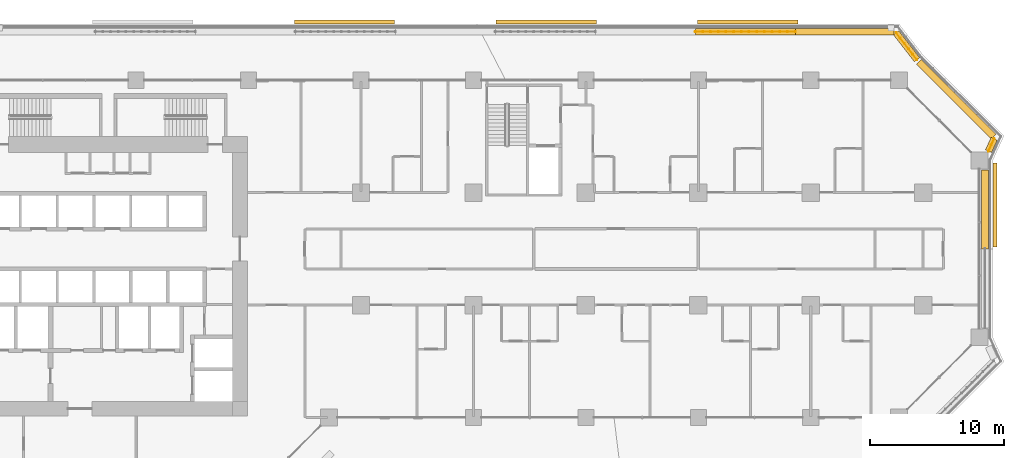
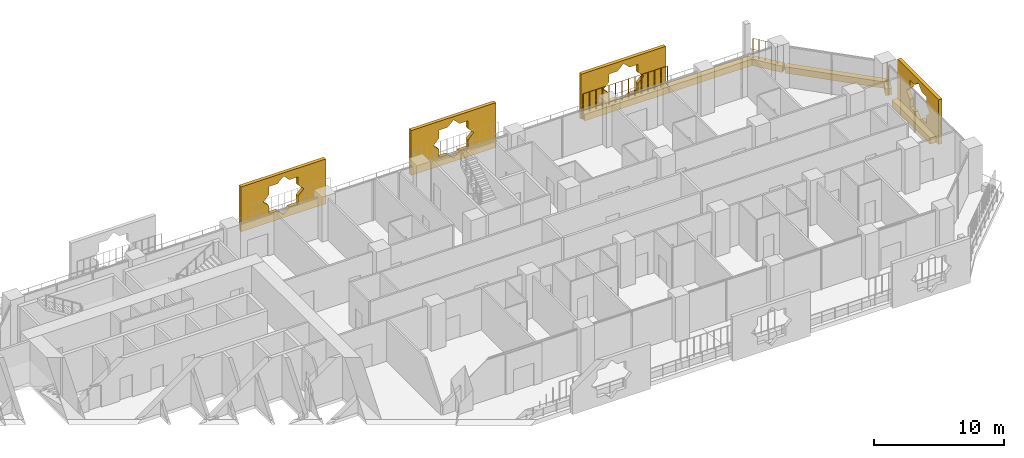
# One storey, part 28 of 28: 10 coverings, 3 railings.
"""IFC4 building model written with IfcOpenShell, lengths in metres."""

from ifc_helpers import new_model, si_unit, direction, frame, origin, origin_2d, place, context, subcontext, project, spatial, polyline, rectangle, circle, outline, extrude, material, material_profile, profile_set, type_object, element, save


model = new_model("IFC4")

# Units and contexts
model_context = context("Model", 3, precision=1e-05, world=origin(), true_north=direction((0.0, 1.0)))
body_context = subcontext(model_context, "Body", "Model", "MODEL_VIEW")
ifc_project = project(units=[si_unit("LENGTHUNIT", "METRE"), si_unit("AREAUNIT", "SQUARE_METRE"), si_unit("VOLUMEUNIT", "CUBIC_METRE"), si_unit("PLANEANGLEUNIT", "RADIAN"), si_unit("MASSUNIT", "GRAM", prefix="KILO")], contexts=[model_context])

# Site, building, storey
site_placement = place(None, origin())
site = spatial("IfcSite", under=ifc_project, at=site_placement, CompositionType="ELEMENT")
building_placement = place(site_placement, origin())
building = spatial("IfcBuilding", under=site, at=building_placement, Name="Kawkab Arch Medical Tower", CompositionType="ELEMENT")
storey_placement = place(building_placement, frame((0.0, 0.0, 72.800048828125)))
storey = spatial("IfcBuildingStorey", under=building, at=storey_placement, Name="L16", CompositionType="ELEMENT", Elevation=72.800048828125)

# Coverings
ifc_material_1 = material(Name="Bronze anodised aluminium mashrabiya panel, eight-point star pattern", Category="aluminium")
ifc_material_profile_1 = material_profile(ifc_material_1, outline(polyline([(-3.14990234375, -2.10009765625), (3.14990234375, -2.10009765625), (3.14990234375, 2.10009765625), (-3.14990234375, 2.10009765625), (-3.14990234375, -2.10009765625)]), holes=[polyline([(1.800048828125, 0.0), (1.272705078125, 0.527099609375), (1.272705078125, 1.272705078125), (0.527099609375, 1.272705078125), (0.0, 1.800048828125), (-0.527099609375, 1.272705078125), (-1.272705078125, 1.272705078125), (-1.272705078125, 0.527099609375), (-1.800048828125, 0.0), (-1.272705078125, -0.527099609375), (-1.272705078125, -1.272705078125), (-0.527099609375, -1.272705078125), (0.0, -1.800048828125), (0.527099609375, -1.272705078125), (1.272705078125, -1.272705078125), (1.272705078125, -0.527099609375), (1.800048828125, 0.0)])]), Name="Mashrabiya panel 6300x4200")
ifc_profile_set_1 = profile_set([ifc_material_profile_1], Name="Bronze anodised aluminium mashrabiya panel, eight-point star pattern")
covering_type_1 = type_object("IfcCoveringType", Name="Mashrabiya panel 6300 x 4200", PredefinedType="USERDEFINED", material=ifc_profile_set_1)
covering_1_placement = place(storey_placement, frame((80.800048828125, -9.31884765625, 1.699951171875), z_axis=(1.0, 0.0, 0.0), x_axis=(0.0, 1.0, 0.0)))
element("IfcCovering", 1, at=covering_1_placement, inside=storey, type_object=covering_type_1, Name="Mashrabiya panel L16.LOG-01-01.10", ObjectType="SCREEN", PredefinedType="USERDEFINED", context=body_context, shape_type="SweptSolid", body=[
    extrude(outline(polyline([(-3.14990234375, -2.10009765625), (3.14990234375, -2.10009765625), (3.14990234375, 2.10009765625), (-3.14990234375, 2.10009765625), (-3.14990234375, -2.10009765625)]), holes=[polyline([(1.800048828125, 0.0), (1.272705078125, 0.527099609375), (1.272705078125, 1.272705078125), (0.527099609375, 1.272705078125), (0.0, 1.800048828125), (-0.527099609375, 1.272705078125), (-1.272705078125, 1.272705078125), (-1.272705078125, 0.527099609375), (-1.800048828125, 0.0), (-1.272705078125, -0.527099609375), (-1.272705078125, -1.272705078125), (-0.527099609375, -1.272705078125), (0.0, -1.800048828125), (0.527099609375, -1.272705078125), (1.272705078125, -1.272705078125), (1.272705078125, -0.527099609375), (1.800048828125, 0.0)])]), origin(), (0.0, 0.0, 1.0), 0.300048828125),
])
ifc_material_2 = material(Name="Bronze anodised aluminium mashrabiya panel, eight-point star pattern", Category="aluminium")
ifc_material_profile_2 = material_profile(ifc_material_2, outline(polyline([(-3.75, -2.10009765625), (3.75, -2.10009765625), (3.75, 2.10009765625), (-3.75, 2.10009765625), (-3.75, -2.10009765625)]), holes=[polyline([(1.800048828125, 0.0), (1.272705078125, 0.527099609375), (1.272705078125, 1.272705078125), (0.527099609375, 1.272705078125), (0.0, 1.800048828125), (-0.527099609375, 1.272705078125), (-1.272705078125, 1.272705078125), (-1.272705078125, 0.527099609375), (-1.800048828125, 0.0), (-1.272705078125, -0.527099609375), (-1.272705078125, -1.272705078125), (-0.527099609375, -1.272705078125), (0.0, -1.800048828125), (0.527099609375, -1.272705078125), (1.272705078125, -1.272705078125), (1.272705078125, -0.527099609375), (1.800048828125, 0.0)])]), Name="Mashrabiya panel 7500x4200")
ifc_profile_set_2 = profile_set([ifc_material_profile_2], Name="Bronze anodised aluminium mashrabiya panel, eight-point star pattern")
covering_type_2 = type_object("IfcCoveringType", Name="Mashrabiya panel 7500 x 4200", PredefinedType="USERDEFINED", material=ifc_profile_set_2)
for number, where, z_axis, x_axis, name in (
    (2, (32.367919921875, 4.199951171875, 1.699951171875), (0.0, 1.0, 0.0), (-1.0, 0.0, 0.0), "Mashrabiya panel L16.LOG-01-01.7"),
    (3, (47.43212890625, 4.199951171875, 1.699951171875), (0.0, 1.0, 0.0), (-1.0, 0.0, 0.0), "Mashrabiya panel L16.LOG-01-01.8"),
    (4, (62.49658203125, 4.199951171875, 1.699951171875), (0.0, 1.0, 0.0), (-1.0, 0.0, 0.0), "Mashrabiya panel L16.LOG-01-01.9"),
):
    element("IfcCovering", number, at=place(storey_placement, frame(where, z_axis=z_axis, x_axis=x_axis)), inside=storey, type_object=covering_type_2, Name=name, ObjectType="SCREEN", PredefinedType="USERDEFINED", context=body_context, shape_type="SweptSolid", body=[
        extrude(outline(polyline([(-3.75, -2.10009765625), (3.75, -2.10009765625), (3.75, 2.10009765625), (-3.75, 2.10009765625), (-3.75, -2.10009765625)]), holes=[polyline([(1.800048828125, 0.0), (1.272705078125, 0.527099609375), (1.272705078125, 1.272705078125), (0.527099609375, 1.272705078125), (0.0, 1.800048828125), (-0.527099609375, 1.272705078125), (-1.272705078125, 1.272705078125), (-1.272705078125, 0.527099609375), (-1.800048828125, 0.0), (-1.272705078125, -0.527099609375), (-1.272705078125, -1.272705078125), (-0.527099609375, -1.272705078125), (0.0, -1.800048828125), (0.527099609375, -1.272705078125), (1.272705078125, -1.272705078125), (1.272705078125, -0.527099609375), (1.800048828125, 0.0)])]), origin(), (0.0, 0.0, 1.0), 0.300048828125),
    ])
ifc_material_3 = material(Name="Planting soil in a precast trough", Category="concrete")
ifc_material_profile_3 = material_profile(ifc_material_3, rectangle(XDim=0.5, YDim=0.60009765625, at=origin_2d()), Name="Trough 500x600")
ifc_profile_set_3 = profile_set([ifc_material_profile_3], Name="Planting soil in a precast trough")
covering_type_3 = type_object("IfcCoveringType", Name="Planter trough 500 x 600", PredefinedType="USERDEFINED", material=ifc_profile_set_3)
covering_2_placement = place(storey_placement, frame((58.575927734375, 3.6201171875, 0.300048828125), z_axis=(1.0, 0.0, 0.0), x_axis=(0.0, 1.0, 0.0)))
element("IfcCovering", 5, at=covering_2_placement, inside=storey, type_object=covering_type_3, Name="Planter L16.LOG-01-01.27", ObjectType="PLANTER", PredefinedType="USERDEFINED", context=body_context, shape_type="SweptSolid", body=[
    extrude(rectangle(XDim=0.5, YDim=0.60009765625, at=origin_2d()), origin(), (0.0, 0.0, 1.0), 7.469970703125),
])
covering_3_placement = place(storey_placement, frame((66.0458984375, 3.6201171875, 0.300048828125), z_axis=(1.0, 0.0, 0.0), x_axis=(0.0, 1.0, 0.0)))
element("IfcCovering", 6, at=covering_3_placement, inside=storey, type_object=covering_type_3, Name="Planter L16.LOG-01-01.28", ObjectType="PLANTER", PredefinedType="USERDEFINED", context=body_context, shape_type="SweptSolid", body=[
    extrude(rectangle(XDim=0.5, YDim=0.60009765625, at=origin_2d()), origin(), (0.0, 0.0, 1.0), 7.3701171875),
])
covering_4_placement = place(storey_placement, frame((73.577880859375, 3.541015625, 0.300048828125), z_axis=(0.614099956103, -0.789228258436, 0.0), x_axis=(0.789228258436, 0.614099956103, 0.0)))
element("IfcCovering", 7, at=covering_4_placement, inside=storey, type_object=covering_type_3, Name="Planter L16.LOG-01-01.29", ObjectType="PLANTER", PredefinedType="USERDEFINED", context=body_context, shape_type="SweptSolid", body=[
    extrude(rectangle(XDim=0.5, YDim=0.60009765625, at=origin_2d()), origin(), (0.0, 0.0, 1.0), 2.545654296875),
])
covering_5_placement = place(storey_placement, frame((75.27294921875, 1.383056640625, 0.300048828125), z_axis=(0.707106781187, -0.707106781187, 0.0), x_axis=(0.707106781187, 0.707106781187, 0.0)))
element("IfcCovering", 8, at=covering_5_placement, inside=storey, type_object=covering_type_3, Name="Planter L16.LOG-01-01.30", ObjectType="PLANTER", PredefinedType="USERDEFINED", context=body_context, shape_type="SweptSolid", body=[
    extrude(rectangle(XDim=0.5, YDim=0.60009765625, at=origin_2d()), origin(), (0.0, 0.0, 1.0), 7.919677734375),
])
covering_6_placement = place(storey_placement, frame((80.902099609375, -4.37890625, 0.300048828125), z_axis=(-0.415071571878, -0.909788761317, 0.0), x_axis=(0.909788761317, -0.415071571878, 0.0)))
element("IfcCovering", 9, at=covering_6_placement, inside=storey, type_object=covering_type_3, Name="Planter L16.LOG-01-01.31", ObjectType="PLANTER", PredefinedType="USERDEFINED", context=body_context, shape_type="SweptSolid", body=[
    extrude(rectangle(XDim=0.5, YDim=0.60009765625, at=origin_2d()), origin(), (0.0, 0.0, 1.0), 1.0146484375),
])
covering_7_placement = place(storey_placement, frame((80.219970703125, -6.705078125, 0.300048828125), z_axis=(0.0, -1.0, 0.0), x_axis=(1.0, 0.0, 0.0)))
element("IfcCovering", 10, at=covering_7_placement, inside=storey, type_object=covering_type_3, Name="Planter L16.LOG-01-01.32", ObjectType="PLANTER", PredefinedType="USERDEFINED", context=body_context, shape_type="SweptSolid", body=[
    extrude(rectangle(XDim=0.5, YDim=0.60009765625, at=origin_2d()), origin(), (0.0, 0.0, 1.0), 5.89501953125),
])

# Railings
ifc_material_4 = material(Name="Bronze anodised aluminium trellis for climbing plants", Category="aluminium")
railing_type = type_object("IfcRailingType", Name="Planting trellis 2400", PredefinedType="USERDEFINED", material=ifc_material_4)
railing_1_placement = place(storey_placement, frame((58.575927734375, 3.6201171875, 0.0)))
element("IfcRailing", 11, at=railing_1_placement, inside=storey, type_object=railing_type, Name="Planting trellis L16.LOG-01-01.27", ObjectType="TRELLIS", PredefinedType="USERDEFINED", context=body_context, shape_type="SweptSolid", body=[
    extrude(circle(Radius=0.01513671875, at=origin_2d()), frame((0.0, 0.0, 2.384765625), z_axis=(1.0, 0.0, 0.0), x_axis=(0.0, 1.0, 0.0)), (0.0, 0.0, 1.0), 7.469970703125),
    extrude(circle(Radius=0.030029296875, at=origin_2d()), origin(), (0.0, 0.0, 1.0), 2.369873046875),
    extrude(circle(Radius=0.030029296875, at=origin_2d()), frame((0.57470703125, 0.0, 0.0)), (0.0, 0.0, 1.0), 2.369873046875),
    extrude(circle(Radius=0.030029296875, at=origin_2d()), frame((1.149169921875, 0.0, 0.0)), (0.0, 0.0, 1.0), 2.369873046875),
    extrude(circle(Radius=0.030029296875, at=origin_2d()), frame((1.723876953125, 0.0, 0.0)), (0.0, 0.0, 1.0), 2.369873046875),
    extrude(circle(Radius=0.030029296875, at=origin_2d()), frame((2.29833984375, 0.0, 0.0)), (0.0, 0.0, 1.0), 2.369873046875),
    extrude(circle(Radius=0.030029296875, at=origin_2d()), frame((2.873046875, 0.0, 0.0)), (0.0, 0.0, 1.0), 2.369873046875),
    extrude(circle(Radius=0.030029296875, at=origin_2d()), frame((3.44775390625, 0.0, 0.0)), (0.0, 0.0, 1.0), 2.369873046875),
    extrude(circle(Radius=0.030029296875, at=origin_2d()), frame((4.022216796875, 0.0, 0.0)), (0.0, 0.0, 1.0), 2.369873046875),
    extrude(circle(Radius=0.030029296875, at=origin_2d()), frame((4.596923828125, 0.0, 0.0)), (0.0, 0.0, 1.0), 2.369873046875),
    extrude(circle(Radius=0.030029296875, at=origin_2d()), frame((5.171630859375, 0.0, 0.0)), (0.0, 0.0, 1.0), 2.369873046875),
    extrude(circle(Radius=0.030029296875, at=origin_2d()), frame((5.74609375, 0.0, 0.0)), (0.0, 0.0, 1.0), 2.369873046875),
    extrude(circle(Radius=0.030029296875, at=origin_2d()), frame((6.32080078125, 0.0, 0.0)), (0.0, 0.0, 1.0), 2.369873046875),
    extrude(circle(Radius=0.030029296875, at=origin_2d()), frame((6.895263671875, 0.0, 0.0)), (0.0, 0.0, 1.0), 2.369873046875),
    extrude(circle(Radius=0.030029296875, at=origin_2d()), frame((7.469970703125, 0.0, 0.0)), (0.0, 0.0, 1.0), 2.369873046875),
])
railing_2_placement = place(storey_placement, frame((73.577880859375, 3.541015625, 0.0)))
element("IfcRailing", 12, at=railing_2_placement, inside=storey, type_object=railing_type, Name="Planting trellis L16.LOG-01-01.29", ObjectType="TRELLIS", PredefinedType="USERDEFINED", context=body_context, shape_type="SweptSolid", body=[
    extrude(circle(Radius=0.01513671875, at=origin_2d()), frame((0.0, 0.0, 2.384765625), z_axis=(0.614099956103, -0.789228258436, 0.0), x_axis=(0.789228258436, 0.614099956103, 0.0)), (0.0, 0.0, 1.0), 2.545654296875),
    extrude(circle(Radius=0.030029296875, at=origin_2d()), origin(), (0.0, 0.0, 1.0), 2.369873046875),
    extrude(circle(Radius=0.030029296875, at=origin_2d()), frame((0.312744140625, -0.40185546875, 0.0)), (0.0, 0.0, 1.0), 2.369873046875),
    extrude(circle(Radius=0.030029296875, at=origin_2d()), frame((0.625244140625, -0.8037109375, 0.0)), (0.0, 0.0, 1.0), 2.369873046875),
    extrude(circle(Radius=0.030029296875, at=origin_2d()), frame((0.93798828125, -1.205322265625, 0.0)), (0.0, 0.0, 1.0), 2.369873046875),
    extrude(circle(Radius=0.030029296875, at=origin_2d()), frame((1.25048828125, -1.607177734375, 0.0)), (0.0, 0.0, 1.0), 2.369873046875),
    extrude(circle(Radius=0.030029296875, at=origin_2d()), frame((1.563232421875, -2.009033203125, 0.0)), (0.0, 0.0, 1.0), 2.369873046875),
])
railing_3_placement = place(storey_placement, frame((80.902099609375, -4.37890625, 0.0)))
element("IfcRailing", 13, at=railing_3_placement, inside=storey, type_object=railing_type, Name="Planting trellis L16.LOG-01-01.31", ObjectType="TRELLIS", PredefinedType="USERDEFINED", context=body_context, shape_type="SweptSolid", body=[
    extrude(circle(Radius=0.01513671875, at=origin_2d()), frame((0.0, 0.0, 2.384765625), z_axis=(-0.415071571878, -0.909788761317, 0.0), x_axis=(0.909788761317, -0.415071571878, 0.0)), (0.0, 0.0, 1.0), 1.0146484375),
    extrude(circle(Radius=0.030029296875, at=origin_2d()), origin(), (0.0, 0.0, 1.0), 2.369873046875),
    extrude(circle(Radius=0.030029296875, at=origin_2d()), frame((-0.21044921875, -0.46142578125, 0.0)), (0.0, 0.0, 1.0), 2.369873046875),
    extrude(circle(Radius=0.030029296875, at=origin_2d()), frame((-0.421142578125, -0.923095703125, 0.0)), (0.0, 0.0, 1.0), 2.369873046875),
])

save(model, "model.ifc")
